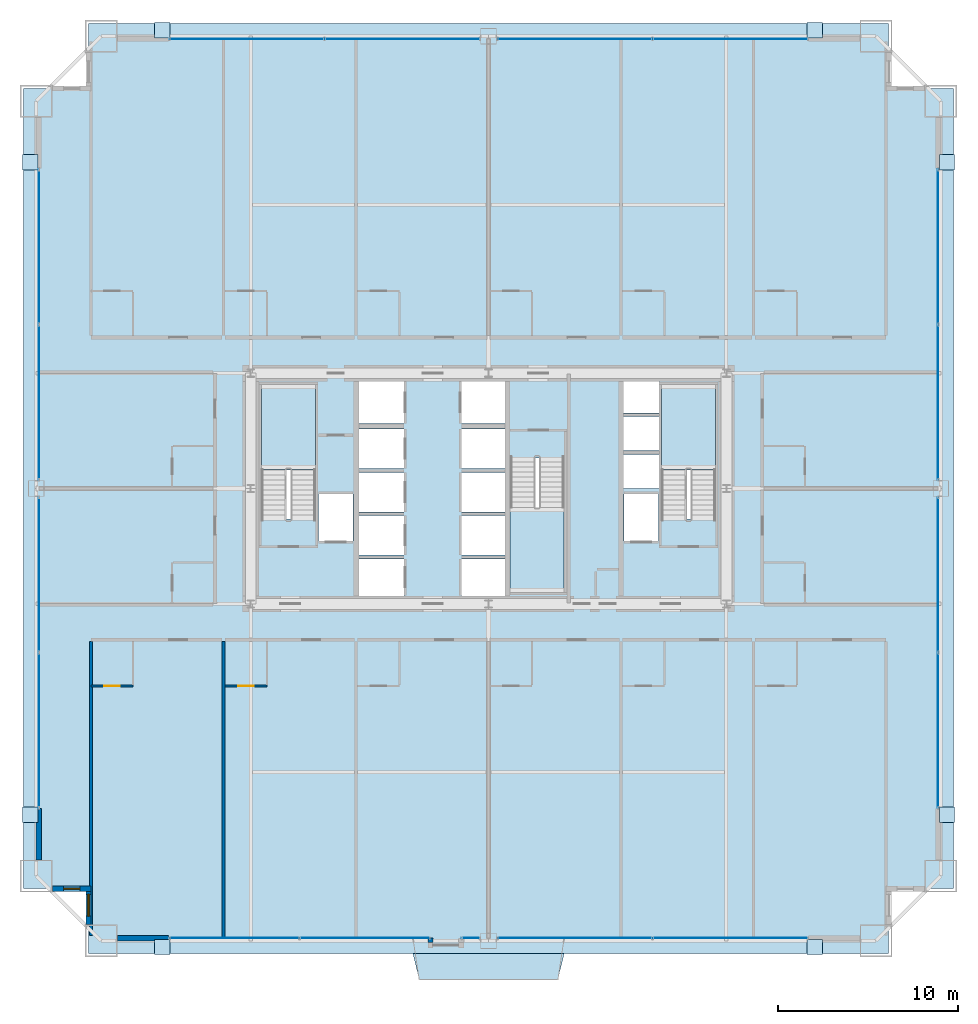
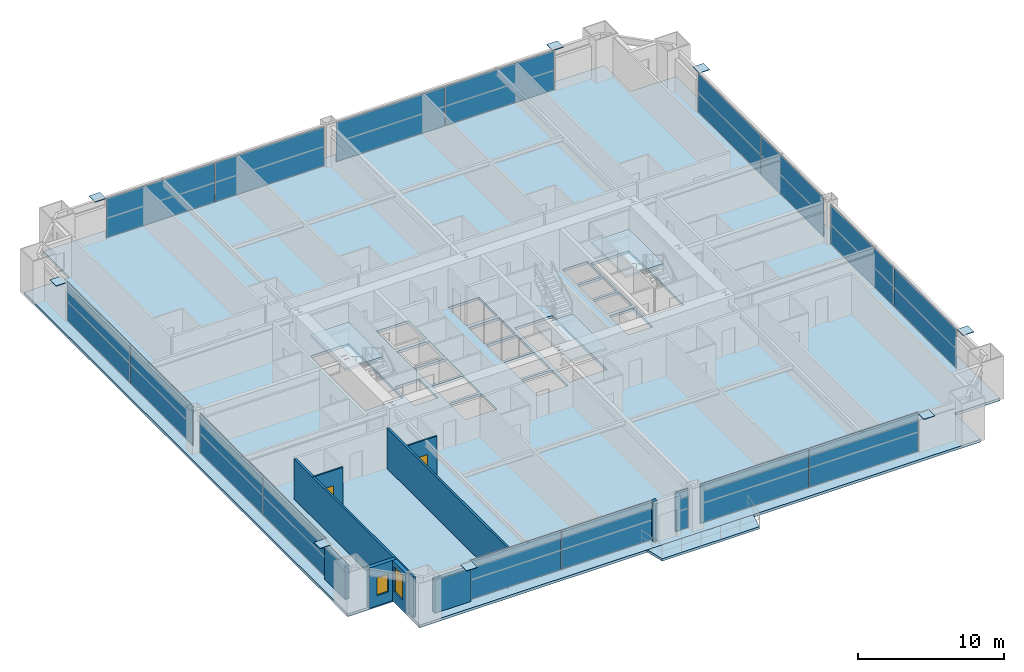
# One storey, part 39 of 45: 25 plates, 9 walls, 5 slabs, 2 doors, 2 windows, 4 openings, 12 elements without a shape of their own.
"""IFC4 building model written with IfcOpenShell, lengths in metres."""

from ifc_helpers import new_model, si_unit, direction, frame, frame_2d, origin, origin_2d, place, context, subcontext, project, spatial, polyline, rectangle, outline, extrude, source, transform, mapped, material, layer, layer_set, type_object, element, fill, aggregate, save


model = new_model("IFC4")

# Units and contexts
model_context = context("Model", 3, precision=1e-05, world=origin(), true_north=direction((0.0, 1.0)))
body_context = subcontext(model_context, "Body", "Model", "MODEL_VIEW")
ifc_project = project(units=[si_unit("LENGTHUNIT", "METRE"), si_unit("AREAUNIT", "SQUARE_METRE"), si_unit("VOLUMEUNIT", "CUBIC_METRE"), si_unit("PLANEANGLEUNIT", "RADIAN"), si_unit("MASSUNIT", "GRAM", prefix="KILO"), si_unit("THERMODYNAMICTEMPERATUREUNIT", "KELVIN"), si_unit("POWERUNIT", "WATT")], contexts=[model_context])

# Site, building, storey
site_placement = place(None, origin())
site = spatial("IfcSite", under=ifc_project, at=site_placement, CompositionType="ELEMENT")
building_placement = place(site_placement, origin())
building = spatial("IfcBuilding", under=site, at=building_placement, Name="Yuzanri Waterfront Tower", CompositionType="ELEMENT")
storey_placement = place(building_placement, frame((0.0, 0.0, 34.199951171875)))
storey = spatial("IfcBuildingStorey", under=building, at=storey_placement, Name="L08", CompositionType="ELEMENT", Elevation=34.199951171875)

# Slab
ifc_material_1 = material(Name="Concrete C40", Category="concrete")
ifc_layer_1 = layer(ifc_material_1, 0.199951171875)
ifc_layer_set_1 = layer_set([ifc_layer_1], Name="Concrete C40")
slab_type_1 = type_object("IfcSlabType", Name="Concrete C40 Cantilevered Engawa Wave Terrace Slab 200", PredefinedType="FLOOR", material=ifc_layer_set_1)
slab_1_placement = place(storey_placement, frame((0.0, 0.0, -0.199951171875)))
element("IfcSlab", 1, at=slab_1_placement, inside=storey, type_object=slab_type_1, Name="L08 S Cantilevered Engawa Terrace Slab", PredefinedType="FLOOR", context=body_context, shape_type="SweptSolid", body=[
    extrude(outline(polyline([(32.803466796875, 0.0), (41.196533203125, 0.0), (40.846435546875, -1.447021484375), (33.153564453125, -1.447021484375), (32.803466796875, 0.0)])), origin(), (0.0, 0.0, 1.0), 0.199951171875),
])

# Stair, slab
ifc_material_2 = material(Name="Concrete C40", Category="concrete")
stair_type = type_object("IfcStairType", Name="Concrete C40 Core Dogleg Exit Stair", PredefinedType="HALF_TURN_STAIR", material=ifc_material_2)
stair_1_placement = place(storey_placement, origin())
stair_1 = element("IfcStair", 2, at=stair_1_placement, inside=storey, type_object=stair_type, Name="L08 Smoke-Proof Core Stair ST-01", PredefinedType="HALF_TURN_STAIR")
ifc_material_3 = material(Name="Concrete C40", Category="concrete")
ifc_layer_2 = layer(ifc_material_3, 0.179931640625)
ifc_layer_set_2 = layer_set([ifc_layer_2], Name="Concrete C40")
slab_type_2 = type_object("IfcSlabType", Name="Concrete C40 Stair Half-Landing Slab 180", PredefinedType="LANDING", material=ifc_layer_set_2)
slab_2_placement = place(storey_placement, frame((0.0, 0.0, 1.60009765625)))
slab_2 = element("IfcSlab", 3, at=slab_2_placement, type_object=slab_type_2, Name="ST-01 landing 1", PredefinedType="LANDING", context=body_context, shape_type="SweptSolid", body=[
    extrude(outline(polyline([(27.39990234375, 26.840087890625), (27.39990234375, 31.580078125), (24.39990234375, 31.580078125), (24.39990234375, 26.840087890625), (27.39990234375, 26.840087890625)])), origin(), (0.0, 0.0, 1.0), 0.199951171875),
])
aggregate(stair_1, [slab_2])

stair_2_placement = place(storey_placement, origin())
stair_2 = element("IfcStair", 4, at=stair_2_placement, inside=storey, type_object=stair_type, Name="L08 Smoke-Proof Core Stair ST-02", PredefinedType="HALF_TURN_STAIR")
slab_3_placement = place(storey_placement, frame((0.0, 0.0, 1.60009765625)))
slab_3 = element("IfcSlab", 5, at=slab_3_placement, type_object=slab_type_2, Name="ST-02 landing 1", PredefinedType="LANDING", context=body_context, shape_type="SweptSolid", body=[
    extrude(outline(polyline([(49.60009765625, 26.840087890625), (49.60009765625, 31.580078125), (46.60009765625, 31.580078125), (46.60009765625, 26.840087890625), (49.60009765625, 26.840087890625)])), origin(), (0.0, 0.0, 1.0), 0.199951171875),
])
aggregate(stair_2, [slab_3])

stair_3_placement = place(storey_placement, origin())
stair_3 = element("IfcStair", 6, at=stair_3_placement, inside=storey, type_object=stair_type, Name="L08 Smoke-Proof Core Stair ST-03", PredefinedType="HALF_TURN_STAIR")
slab_4_placement = place(storey_placement, frame((0.0, 0.0, 1.60009765625)))
slab_4 = element("IfcSlab", 7, at=slab_4_placement, type_object=slab_type_2, Name="ST-03 landing 1", PredefinedType="LANDING", context=body_context, shape_type="SweptSolid", body=[
    extrude(outline(polyline([(38.199951171875, 24.760009765625), (38.199951171875, 20.02001953125), (41.199951171875, 20.02001953125), (41.199951171875, 24.760009765625), (38.199951171875, 24.760009765625)])), origin(), (0.0, 0.0, 1.0), 0.199951171875),
])
aggregate(stair_3, [slab_4])

# Slab
ifc_material_4 = material(Name="Concrete C40", Category="concrete")
ifc_layer_3 = layer(ifc_material_4, 0.219970703125)
ifc_layer_set_3 = layer_set([ifc_layer_3], Name="Concrete C40")
slab_type_3 = type_object("IfcSlabType", Name="Concrete C40 Tower Typical Structural Floor Slab 220", PredefinedType="FLOOR", material=ifc_layer_set_3)
slab_5_placement = place(storey_placement, frame((0.0, 0.0, -0.219970703125)))
element("IfcSlab", 8, at=slab_5_placement, inside=storey, type_object=slab_type_3, Name="L08 Main Structural Floor Slab", PredefinedType="FLOOR", context=body_context, shape_type="SweptSolid", body=[
    extrude(outline(polyline([(14.800048828125, 0.0), (59.199951171875, 0.0), (59.199951171875, 3.60009765625), (62.800048828125, 3.60009765625), (62.800048828125, 48.0), (59.199951171875, 48.0), (59.199951171875, 51.60009765625), (14.800048828125, 51.60009765625), (14.800048828125, 48.0), (11.199951171875, 48.0), (11.199951171875, 3.60009765625), (14.800048828125, 3.60009765625), (14.800048828125, 0.0)]), holes=[polyline([(27.39990234375, 24.10009765625), (27.39990234375, 31.580078125), (24.39990234375, 31.580078125), (24.39990234375, 24.10009765625), (27.39990234375, 24.10009765625)]), polyline([(49.60009765625, 24.10009765625), (49.60009765625, 31.580078125), (46.60009765625, 31.580078125), (46.60009765625, 24.10009765625), (49.60009765625, 24.10009765625)]), polyline([(38.199951171875, 27.5), (38.199951171875, 20.02001953125), (41.199951171875, 20.02001953125), (41.199951171875, 27.5), (38.199951171875, 27.5)]), polyline([(27.56005859375, 22.89990234375), (29.47998046875, 22.89990234375), (29.47998046875, 25.5), (27.56005859375, 25.5), (27.56005859375, 22.89990234375)]), polyline([(44.52001953125, 22.89990234375), (46.43994140625, 22.89990234375), (46.43994140625, 25.5), (44.52001953125, 25.5), (44.52001953125, 22.89990234375)]), polyline([(29.800048828125, 19.699951171875), (32.300048828125, 19.699951171875), (32.300048828125, 21.89990234375), (29.800048828125, 21.89990234375), (29.800048828125, 19.699951171875)]), polyline([(29.800048828125, 22.10009765625), (32.300048828125, 22.10009765625), (32.300048828125, 24.300048828125), (29.800048828125, 24.300048828125), (29.800048828125, 22.10009765625)]), polyline([(29.800048828125, 24.5), (32.300048828125, 24.5), (32.300048828125, 26.699951171875), (29.800048828125, 26.699951171875), (29.800048828125, 24.5)]), polyline([(29.800048828125, 26.89990234375), (32.300048828125, 26.89990234375), (32.300048828125, 29.10009765625), (29.800048828125, 29.10009765625), (29.800048828125, 26.89990234375)]), polyline([(29.800048828125, 29.39990234375), (32.300048828125, 29.39990234375), (32.300048828125, 31.89990234375), (29.800048828125, 31.89990234375), (29.800048828125, 29.39990234375)]), polyline([(35.5, 19.699951171875), (37.89990234375, 19.699951171875), (37.89990234375, 21.89990234375), (35.5, 21.89990234375), (35.5, 19.699951171875)]), polyline([(35.5, 22.10009765625), (37.89990234375, 22.10009765625), (37.89990234375, 24.300048828125), (35.5, 24.300048828125), (35.5, 22.10009765625)]), polyline([(35.5, 24.5), (37.89990234375, 24.5), (37.89990234375, 26.699951171875), (35.5, 26.699951171875), (35.5, 24.5)]), polyline([(35.5, 26.89990234375), (37.89990234375, 26.89990234375), (37.89990234375, 29.10009765625), (35.5, 29.10009765625), (35.5, 26.89990234375)]), polyline([(35.5, 29.39990234375), (37.89990234375, 29.39990234375), (37.89990234375, 31.89990234375), (35.5, 31.89990234375), (35.5, 29.39990234375)]), polyline([(44.5, 25.800048828125), (46.5, 25.800048828125), (46.5, 27.699951171875), (44.5, 27.699951171875), (44.5, 25.800048828125)]), polyline([(44.5, 27.89990234375), (46.5, 27.89990234375), (46.5, 29.800048828125), (44.5, 29.800048828125), (44.5, 27.89990234375)]), polyline([(44.5, 30.0), (46.5, 30.0), (46.5, 31.89990234375), (44.5, 31.89990234375), (44.5, 30.0)])]), origin(), (0.0, 0.0, 1.0), 0.219970703125),
])

# Plates
ifc_material_5 = material(Name="Steel Q420GJC", Category="steel")
ifc_layer_4 = layer(ifc_material_5, 0.0400390625)
ifc_layer_set_4 = layer_set([ifc_layer_4], Name="Steel Q420GJC")
plate_type_1 = type_object("IfcPlateType", Name="Steel Q420GJC Mega-Brace Gusset and End-Cap Plate 40", PredefinedType="SHEET", material=ifc_layer_set_4)
shared_shape_1 = source(origin(), body_context, "Body", "SweptSolid", [
    extrude(rectangle(XDim=0.85009765625, YDim=0.85009765625, at=origin_2d()), origin(), (0.0, 0.0, 1.0), 0.0400390625),
])
for number, where, z_axis, x_axis, name in (
    (9, (18.89990234375, 0.360107421875, 3.260009765625), (0.0, 0.0, 1.0), (1.0, 0.0, 0.0), "L08 Mega-Brace Apex Cap Plate S-L"),
    (10, (55.10009765625, 0.360107421875, 3.260009765625), (0.0, 0.0, 1.0), (1.0, 0.0, 0.0), "L08 Mega-Brace Apex Cap Plate S-R"),
    (11, (18.89990234375, 51.239990234375, 3.260009765625), (0.0, 0.0, 1.0), (1.0, 0.0, 0.0), "L08 Mega-Brace Apex Cap Plate N-L"),
    (12, (55.10009765625, 51.239990234375, 3.260009765625), (0.0, 0.0, 1.0), (1.0, 0.0, 0.0), "L08 Mega-Brace Apex Cap Plate N-R"),
    (13, (11.56005859375, 7.699951171875, 3.260009765625), (0.0, 0.0, 1.0), (1.0, 0.0, 0.0), "L08 Mega-Brace Apex Cap Plate W-L"),
    (14, (11.56005859375, 43.89990234375, 3.260009765625), (0.0, 0.0, 1.0), (1.0, 0.0, 0.0), "L08 Mega-Brace Apex Cap Plate W-R"),
    (15, (62.43994140625, 7.699951171875, 3.260009765625), (0.0, 0.0, 1.0), (1.0, 0.0, 0.0), "L08 Mega-Brace Apex Cap Plate E-L"),
    (16, (62.43994140625, 43.89990234375, 3.260009765625), (0.0, 0.0, 1.0), (1.0, 0.0, 0.0), "L08 Mega-Brace Apex Cap Plate E-R"),
):
    element("IfcPlate", number, at=place(storey_placement, frame(where, z_axis=z_axis, x_axis=x_axis)), inside=storey, type_object=plate_type_1, Name=name, PredefinedType="SHEET", context=body_context, shape_type="MappedRepresentation", body=[
        mapped(shared_shape_1, transform((0.0, 0.0, 0.0), scale=1.0)),
    ])

# Curtain wall, plates
ifc_material_6 = material(Name="Anodized Architectural Bronze", Category="metal")
ifc_layer_5 = layer(ifc_material_6, 0.159912109375)
ifc_layer_set_5 = layer_set([ifc_layer_5], Name="Anodized Architectural Bronze")
curtain_wall_type = type_object("IfcCurtainWallType", Name="Anodized Bronze Hotel Lower-Tier Recessed Unitized Curtain Wall 8100", PredefinedType="NOTDEFINED", material=ifc_layer_set_5)
curtain_wall_1_placement = place(storey_placement, origin())
curtain_wall_1 = element("IfcCurtainWall", 17, at=curtain_wall_1_placement, inside=storey, type_object=curtain_wall_type, Name="L08 Curtain Wall CW-L08-SR", PredefinedType="NOTDEFINED")
ifc_material_7 = material(Name="Double-Silver Low-E Insulated Glass", Category="glass")
ifc_layer_6 = layer(ifc_material_7, 0.035888671875)
ifc_layer_set_6 = layer_set([ifc_layer_6], Name="Double-Silver Low-E Insulated Glass")
plate_type_2 = type_object("IfcPlateType", Name="Double Silver Low-E Insulated Vision Glass Panel 36", PredefinedType="CURTAIN_PANEL", material=ifc_layer_set_6)
shared_shape_2 = source(origin(), body_context, "Body", "SweptSolid", [
    extrude(rectangle(XDim=8.570068359375, YDim=0.035888671875, at=origin_2d()), origin(), (0.0, 0.0, 1.0), 3.280029296875),
])
plate_1_placement = place(storey_placement, frame((41.77490234375, 0.85009765625, 0.0498046875), z_axis=(0.0, 0.0, 1.0), x_axis=(1.0, 0.0, 0.0)))
plate_1 = element("IfcPlate", 18, at=plate_1_placement, type_object=plate_type_2, Name="CW-L08-SR Vision Glass Panel 01", PredefinedType="CURTAIN_PANEL", context=body_context, shape_type="MappedRepresentation", body=[
    mapped(shared_shape_2, transform((0.0, 0.0, 0.0), scale=1.0)),
])
plate_2_placement = place(storey_placement, frame((50.425048828125, 0.85009765625, 0.0498046875), z_axis=(0.0, 0.0, 1.0), x_axis=(1.0, 0.0, 0.0)))
plate_2 = element("IfcPlate", 19, at=plate_2_placement, type_object=plate_type_2, Name="CW-L08-SR Vision Glass Panel 02", PredefinedType="CURTAIN_PANEL", context=body_context, shape_type="MappedRepresentation", body=[
    mapped(shared_shape_2, transform((0.0, 0.0, 0.0), scale=1.0)),
])
aggregate(curtain_wall_1, [plate_1, plate_2])

curtain_wall_2_placement = place(storey_placement, origin())
curtain_wall_2 = element("IfcCurtainWall", 20, at=curtain_wall_2_placement, inside=storey, type_object=curtain_wall_type, Name="L08 Curtain Wall CW-L08-NL", PredefinedType="NOTDEFINED")
plate_3_placement = place(storey_placement, frame((23.574951171875, 50.75, 0.0498046875), z_axis=(0.0, 0.0, 1.0), x_axis=(1.0, 0.0, 0.0)))
plate_3 = element("IfcPlate", 21, at=plate_3_placement, type_object=plate_type_2, Name="CW-L08-NL Vision Glass Panel 01", PredefinedType="CURTAIN_PANEL", context=body_context, shape_type="MappedRepresentation", body=[
    mapped(shared_shape_2, transform((0.0, 0.0, 0.0), scale=1.0)),
])
plate_4_placement = place(storey_placement, frame((32.22509765625, 50.75, 0.0498046875), z_axis=(0.0, 0.0, 1.0), x_axis=(1.0, 0.0, 0.0)))
plate_4 = element("IfcPlate", 22, at=plate_4_placement, type_object=plate_type_2, Name="CW-L08-NL Vision Glass Panel 02", PredefinedType="CURTAIN_PANEL", context=body_context, shape_type="MappedRepresentation", body=[
    mapped(shared_shape_2, transform((0.0, 0.0, 0.0), scale=1.0)),
])
aggregate(curtain_wall_2, [plate_3, plate_4])

curtain_wall_3_placement = place(storey_placement, origin())
curtain_wall_3 = element("IfcCurtainWall", 23, at=curtain_wall_3_placement, inside=storey, type_object=curtain_wall_type, Name="L08 Curtain Wall CW-L08-NR", PredefinedType="NOTDEFINED")
plate_5_placement = place(storey_placement, frame((41.77490234375, 50.75, 0.0498046875), z_axis=(0.0, 0.0, 1.0), x_axis=(1.0, 0.0, 0.0)))
plate_5 = element("IfcPlate", 24, at=plate_5_placement, type_object=plate_type_2, Name="CW-L08-NR Vision Glass Panel 01", PredefinedType="CURTAIN_PANEL", context=body_context, shape_type="MappedRepresentation", body=[
    mapped(shared_shape_2, transform((0.0, 0.0, 0.0), scale=1.0)),
])
plate_6_placement = place(storey_placement, frame((50.425048828125, 50.75, 0.0498046875), z_axis=(0.0, 0.0, 1.0), x_axis=(1.0, 0.0, 0.0)))
plate_6 = element("IfcPlate", 25, at=plate_6_placement, type_object=plate_type_2, Name="CW-L08-NR Vision Glass Panel 02", PredefinedType="CURTAIN_PANEL", context=body_context, shape_type="MappedRepresentation", body=[
    mapped(shared_shape_2, transform((0.0, 0.0, 0.0), scale=1.0)),
])
aggregate(curtain_wall_3, [plate_5, plate_6])

curtain_wall_4_placement = place(storey_placement, origin())
curtain_wall_4 = element("IfcCurtainWall", 26, at=curtain_wall_4_placement, inside=storey, type_object=curtain_wall_type, Name="L08 Curtain Wall CW-L08-WL", PredefinedType="NOTDEFINED")
plate_7_placement = place(storey_placement, frame((12.050048828125, 12.375, 0.0498046875), z_axis=(0.0, 0.0, 1.0), x_axis=(0.0, 1.0, 0.0)))
plate_7 = element("IfcPlate", 27, at=plate_7_placement, type_object=plate_type_2, Name="CW-L08-WL Vision Glass Panel 01", PredefinedType="CURTAIN_PANEL", context=body_context, shape_type="MappedRepresentation", body=[
    mapped(shared_shape_2, transform((0.0, 0.0, 0.0), scale=1.0)),
])
plate_8_placement = place(storey_placement, frame((12.050048828125, 21.02490234375, 0.0498046875), z_axis=(0.0, 0.0, 1.0), x_axis=(0.0, 1.0, 0.0)))
plate_8 = element("IfcPlate", 28, at=plate_8_placement, type_object=plate_type_2, Name="CW-L08-WL Vision Glass Panel 02", PredefinedType="CURTAIN_PANEL", context=body_context, shape_type="MappedRepresentation", body=[
    mapped(shared_shape_2, transform((0.0, 0.0, 0.0), scale=1.0)),
])
aggregate(curtain_wall_4, [plate_7, plate_8])

curtain_wall_5_placement = place(storey_placement, origin())
curtain_wall_5 = element("IfcCurtainWall", 29, at=curtain_wall_5_placement, inside=storey, type_object=curtain_wall_type, Name="L08 Curtain Wall CW-L08-WR", PredefinedType="NOTDEFINED")
plate_9_placement = place(storey_placement, frame((12.050048828125, 30.574951171875, 0.0498046875), z_axis=(0.0, 0.0, 1.0), x_axis=(0.0, 1.0, 0.0)))
plate_9 = element("IfcPlate", 30, at=plate_9_placement, type_object=plate_type_2, Name="CW-L08-WR Vision Glass Panel 01", PredefinedType="CURTAIN_PANEL", context=body_context, shape_type="MappedRepresentation", body=[
    mapped(shared_shape_2, transform((0.0, 0.0, 0.0), scale=1.0)),
])
plate_10_placement = place(storey_placement, frame((12.050048828125, 39.22509765625, 0.0498046875), z_axis=(0.0, 0.0, 1.0), x_axis=(0.0, 1.0, 0.0)))
plate_10 = element("IfcPlate", 31, at=plate_10_placement, type_object=plate_type_2, Name="CW-L08-WR Vision Glass Panel 02", PredefinedType="CURTAIN_PANEL", context=body_context, shape_type="MappedRepresentation", body=[
    mapped(shared_shape_2, transform((0.0, 0.0, 0.0), scale=1.0)),
])
aggregate(curtain_wall_5, [plate_9, plate_10])

curtain_wall_6_placement = place(storey_placement, origin())
curtain_wall_6 = element("IfcCurtainWall", 32, at=curtain_wall_6_placement, inside=storey, type_object=curtain_wall_type, Name="L08 Curtain Wall CW-L08-EL", PredefinedType="NOTDEFINED")
plate_11_placement = place(storey_placement, frame((61.949951171875, 12.375, 0.0498046875), z_axis=(0.0, 0.0, 1.0), x_axis=(0.0, 1.0, 0.0)))
plate_11 = element("IfcPlate", 33, at=plate_11_placement, type_object=plate_type_2, Name="CW-L08-EL Vision Glass Panel 01", PredefinedType="CURTAIN_PANEL", context=body_context, shape_type="MappedRepresentation", body=[
    mapped(shared_shape_2, transform((0.0, 0.0, 0.0), scale=1.0)),
])
plate_12_placement = place(storey_placement, frame((61.949951171875, 21.02490234375, 0.0498046875), z_axis=(0.0, 0.0, 1.0), x_axis=(0.0, 1.0, 0.0)))
plate_12 = element("IfcPlate", 34, at=plate_12_placement, type_object=plate_type_2, Name="CW-L08-EL Vision Glass Panel 02", PredefinedType="CURTAIN_PANEL", context=body_context, shape_type="MappedRepresentation", body=[
    mapped(shared_shape_2, transform((0.0, 0.0, 0.0), scale=1.0)),
])
aggregate(curtain_wall_6, [plate_11, plate_12])

curtain_wall_7_placement = place(storey_placement, origin())
curtain_wall_7 = element("IfcCurtainWall", 35, at=curtain_wall_7_placement, inside=storey, type_object=curtain_wall_type, Name="L08 Curtain Wall CW-L08-ER", PredefinedType="NOTDEFINED")
plate_13_placement = place(storey_placement, frame((61.949951171875, 30.574951171875, 0.0498046875), z_axis=(0.0, 0.0, 1.0), x_axis=(0.0, 1.0, 0.0)))
plate_13 = element("IfcPlate", 36, at=plate_13_placement, type_object=plate_type_2, Name="CW-L08-ER Vision Glass Panel 01", PredefinedType="CURTAIN_PANEL", context=body_context, shape_type="MappedRepresentation", body=[
    mapped(shared_shape_2, transform((0.0, 0.0, 0.0), scale=1.0)),
])
plate_14_placement = place(storey_placement, frame((61.949951171875, 39.22509765625, 0.0498046875), z_axis=(0.0, 0.0, 1.0), x_axis=(0.0, 1.0, 0.0)))
plate_14 = element("IfcPlate", 37, at=plate_14_placement, type_object=plate_type_2, Name="CW-L08-ER Vision Glass Panel 02", PredefinedType="CURTAIN_PANEL", context=body_context, shape_type="MappedRepresentation", body=[
    mapped(shared_shape_2, transform((0.0, 0.0, 0.0), scale=1.0)),
])
aggregate(curtain_wall_7, [plate_13, plate_14])

curtain_wall_8_placement = place(storey_placement, origin())
curtain_wall_8 = element("IfcCurtainWall", 38, at=curtain_wall_8_placement, inside=storey, type_object=curtain_wall_type, Name="L08 Curtain Wall CW-L08-SL1", PredefinedType="NOTDEFINED")
shared_shape_3 = source(origin(), body_context, "Body", "SweptSolid", [
    extrude(rectangle(XDim=7.18359375, YDim=0.035888671875, at=origin_2d()), origin(), (0.0, 0.0, 1.0), 3.280029296875),
])
plate_15_placement = place(storey_placement, frame((22.8818359375, 0.85009765625, 0.0498046875), z_axis=(0.0, 0.0, 1.0), x_axis=(1.0, 0.0, 0.0)))
plate_15 = element("IfcPlate", 39, at=plate_15_placement, type_object=plate_type_2, Name="CW-L08-SL1 Vision Glass Panel 01", PredefinedType="CURTAIN_PANEL", context=body_context, shape_type="MappedRepresentation", body=[
    mapped(shared_shape_3, transform((0.0, 0.0, 0.0), scale=1.0)),
])
plate_16_placement = place(storey_placement, frame((30.145263671875, 0.85009765625, 0.0498046875), z_axis=(0.0, 0.0, 1.0), x_axis=(1.0, 0.0, 0.0)))
plate_16 = element("IfcPlate", 40, at=plate_16_placement, type_object=plate_type_2, Name="CW-L08-SL1 Vision Glass Panel 02", PredefinedType="CURTAIN_PANEL", context=body_context, shape_type="MappedRepresentation", body=[
    mapped(shared_shape_3, transform((0.0, 0.0, 0.0), scale=1.0)),
])
aggregate(curtain_wall_8, [plate_15, plate_16])

# Curtain wall, plate
curtain_wall_9_placement = place(storey_placement, origin())
curtain_wall_9 = element("IfcCurtainWall", 41, at=curtain_wall_9_placement, inside=storey, type_object=curtain_wall_type, Name="L08 Curtain Wall CW-L08-SL2", PredefinedType="NOTDEFINED")
shared_shape_4 = source(origin(), body_context, "Body", "SweptSolid", [
    extrude(rectangle(XDim=0.992919921875, YDim=0.035888671875, at=origin_2d()), origin(), (0.0, 0.0, 1.0), 3.280029296875),
])
plate_17_placement = place(storey_placement, frame((36.013427734375, 0.85009765625, 0.0498046875), z_axis=(0.0, 0.0, 1.0), x_axis=(1.0, 0.0, 0.0)))
plate_17 = element("IfcPlate", 42, at=plate_17_placement, type_object=plate_type_2, Name="CW-L08-SL2 Vision Glass Panel 01", PredefinedType="CURTAIN_PANEL", context=body_context, shape_type="MappedRepresentation", body=[
    mapped(shared_shape_4, transform((0.0, 0.0, 0.0), scale=1.0)),
])
aggregate(curtain_wall_9, [plate_17])

# Wall, opening, door
ifc_material_8 = material(Name="Moisture-Resistant Gypsum Stud Wall", Category="gypsum")
ifc_layer_7 = layer(ifc_material_8, 0.1201171875)
ifc_layer_set_7 = layer_set([ifc_layer_7], Name="Moisture-Resistant Gypsum Stud Wall")
wall_type_1 = type_object("IfcWallType", Name="Bathroom and Kitchen Wet Partition 120", PredefinedType="PARTITIONING", material=ifc_layer_set_7)
wall_1_placement = place(storey_placement, frame((14.93994140625, 14.840087890625, 0.0), z_axis=(0.0, 0.0, 1.0), x_axis=(1.0, 0.0, 0.0)))
wall_1 = element("IfcWall", 43, at=wall_1_placement, inside=storey, type_object=wall_type_1, Name="L08 Partition UW-L08-S1-BS", PredefinedType="PARTITIONING", context=body_context, shape_type="SweptSolid", body=[
    extrude(rectangle(XDim=2.330078125, YDim=0.1201171875, at=frame_2d((1.1650390625, 0.0))), origin(), (0.0, 0.0, 1.0), 3.380126953125),
])
opening_1_placement = place(wall_1_placement, frame((0.739990234375, 0.0, 0.0)))
opening_1 = element("IfcOpeningElement", 44, at=opening_1_placement, cuts=wall_1, Name="Opening ID-0850", PredefinedType="OPENING", context=body_context, shape_type="SweptSolid", body=[
    extrude(rectangle(XDim=0.85009765625, YDim=2.10009765625, at=frame_2d((0.425048828125, 1.050048828125))), frame((0.0, 0.074951171875, 0.0), z_axis=(0.0, -1.0, 0.0), x_axis=(1.0, 0.0, 0.0)), (0.0, 0.0, 1.0), 0.14990234375),
])
ifc_material_9 = material(Name="Moisture-Resistant Lacquered Timber", Category="wood")
door_type = type_object("IfcDoorType", Name="En-Suite Bathroom and Kitchen Swing Door 850x2100", OperationType="NOTDEFINED", PredefinedType="DOOR", material=ifc_material_9)
shared_shape_5 = source(origin(), body_context, "Body", "SweptSolid", [
    extrude(rectangle(XDim=0.85009765625, YDim=2.10009765625, at=frame_2d((0.425048828125, 1.050048828125))), frame((0.0, 0.02490234375, 0.0), z_axis=(0.0, -1.0, 0.0), x_axis=(1.0, 0.0, 0.0)), (0.0, 0.0, 1.0), 0.050048828125),
])
door_1_placement = place(opening_1_placement, origin())
door_1 = element("IfcDoor", 45, at=door_1_placement, inside=storey, type_object=door_type, Name="L08 Guest En-Suite Door", OperationType="SINGLE_SWING_LEFT", OverallHeight=2.10009765625, OverallWidth=0.85009765625, PredefinedType="DOOR", context=body_context, shape_type="MappedRepresentation", body=[
    mapped(shared_shape_5, transform((0.0, 0.0, 0.0), scale=1.0)),
])
fill(opening_1, door_1)

wall_2_placement = place(storey_placement, frame((22.373046875, 14.840087890625, 0.0), z_axis=(0.0, 0.0, 1.0), x_axis=(1.0, 0.0, 0.0)))
wall_2 = element("IfcWall", 46, at=wall_2_placement, inside=storey, type_object=wall_type_1, Name="L08 Partition UW-L08-S2-BS", PredefinedType="PARTITIONING", context=body_context, shape_type="SweptSolid", body=[
    extrude(rectangle(XDim=2.329833984375, YDim=0.1201171875, at=frame_2d((1.1650390625, 0.0))), origin(), (0.0, 0.0, 1.0), 3.380126953125),
])
opening_2_placement = place(wall_2_placement, frame((0.739990234375, 0.0, 0.0)))
opening_2 = element("IfcOpeningElement", 47, at=opening_2_placement, cuts=wall_2, Name="Opening ID-0850", PredefinedType="OPENING", context=body_context, shape_type="SweptSolid", body=[
    extrude(rectangle(XDim=0.85009765625, YDim=2.10009765625, at=frame_2d((0.425048828125, 1.050048828125))), frame((0.0, 0.074951171875, 0.0), z_axis=(0.0, -1.0, 0.0), x_axis=(1.0, 0.0, 0.0)), (0.0, 0.0, 1.0), 0.14990234375),
])
door_2_placement = place(opening_2_placement, origin())
door_2 = element("IfcDoor", 48, at=door_2_placement, inside=storey, type_object=door_type, Name="L08 Guest En-Suite Door", OperationType="SINGLE_SWING_LEFT", OverallHeight=2.10009765625, OverallWidth=0.85009765625, PredefinedType="DOOR", context=body_context, shape_type="MappedRepresentation", body=[
    mapped(shared_shape_5, transform((0.0, 0.0, 0.0), scale=1.0)),
])
fill(opening_2, door_2)

# Wall, opening, window
ifc_material_10 = material(Name="Honed Chongqing Dark Basalt Stone", Category="masonry")
ifc_layer_8 = layer(ifc_material_10, 0.300048828125)
ifc_layer_set_8 = layer_set([ifc_layer_8], Name="Honed Chongqing Dark Basalt Stone")
wall_type_2 = type_object("IfcWallType", Name="Bronze Rainscreen Insulated Spandrel Portal Wall 300", PredefinedType="SOLIDWALL", material=ifc_layer_set_8)
wall_3_placement = place(storey_placement, frame((12.800048828125, 3.60009765625, 0.0), z_axis=(0.0, 0.0, 1.0), x_axis=(1.0, 0.0, 0.0)))
wall_3 = element("IfcWall", 49, at=wall_3_placement, inside=storey, type_object=wall_type_2, Name="L08 Notched Corner Masonry Wall SW-X", PredefinedType="SOLIDWALL", context=body_context, shape_type="SweptSolid", body=[
    extrude(rectangle(XDim=2.14990234375, YDim=0.300048828125, at=frame_2d((1.074951171875, 0.0))), origin(), (0.0, 0.0, 1.0), 3.380126953125),
])
opening_3_placement = place(wall_3_placement, frame((0.625, 0.0, 0.85009765625)))
opening_3 = element("IfcOpeningElement", 50, at=opening_3_placement, cuts=wall_3, Name="Opening WN-05", PredefinedType="OPENING", context=body_context, shape_type="SweptSolid", body=[
    extrude(rectangle(XDim=0.89990234375, YDim=1.5, at=frame_2d((0.449951171875, 0.75))), frame((0.0, 0.1650390625, 0.0), z_axis=(0.0, -1.0, 0.0), x_axis=(1.0, 0.0, 0.0)), (0.0, 0.0, 1.0), 0.329833984375),
])
ifc_material_11 = material(Name="Double-Silver Low-E Insulated Glass", Category="glass")
window_type_1 = type_object("IfcWindowType", Name="Anodized Bronze Service and Stairwell Smoke-Vent Window 900x1500", PartitioningType="SINGLE_PANEL", PredefinedType="WINDOW", material=ifc_material_11)
shared_shape_6 = source(origin(), body_context, "Body", "SweptSolid", [
    extrude(rectangle(XDim=0.89990234375, YDim=1.5, at=frame_2d((0.449951171875, 0.75))), frame((0.0, 0.030029296875, 0.0), z_axis=(0.0, -1.0, 0.0), x_axis=(1.0, 0.0, 0.0)), (0.0, 0.0, 1.0), 0.06005859375),
])
window_1_placement = place(opening_3_placement, origin())
window_1 = element("IfcWindow", 51, at=window_1_placement, inside=storey, type_object=window_type_1, Name="L08 Notched Corner Window SW-X", OverallHeight=1.5, OverallWidth=0.89990234375, PartitioningType="SINGLE_PANEL", PredefinedType="WINDOW", context=body_context, shape_type="MappedRepresentation", body=[
    mapped(shared_shape_6, transform((0.0, 0.0, 0.0), scale=1.0)),
])
fill(opening_3, window_1)

wall_4_placement = place(storey_placement, frame((14.800048828125, 3.75, 0.0), z_axis=(0.0, 0.0, 1.0), x_axis=(0.0, -1.0, 0.0)))
wall_4 = element("IfcWall", 52, at=wall_4_placement, inside=storey, type_object=wall_type_2, Name="L08 Notched Corner Masonry Wall SW-Y", PredefinedType="SOLIDWALL", context=body_context, shape_type="SweptSolid", body=[
    extrude(rectangle(XDim=2.14990234375, YDim=0.300048828125, at=frame_2d((1.074951171875, 0.0))), origin(), (0.0, 0.0, 1.0), 3.380126953125),
])
opening_4_placement = place(wall_4_placement, frame((0.47509765625, 0.0, 0.85009765625)))
opening_4 = element("IfcOpeningElement", 53, at=opening_4_placement, cuts=wall_4, Name="Opening WN-02", PredefinedType="OPENING", context=body_context, shape_type="SweptSolid", body=[
    extrude(rectangle(XDim=1.199951171875, YDim=2.10009765625, at=frame_2d((0.60009765625, 1.050048828125))), frame((0.0, 0.1650390625, 0.0), z_axis=(0.0, -1.0, 0.0), x_axis=(1.0, 0.0, 0.0)), (0.0, 0.0, 1.0), 0.329833984375),
])
ifc_material_12 = material(Name="Double-Silver Low-E Insulated Glass", Category="glass")
window_type_2 = type_object("IfcWindowType", Name="Anodized Bronze Notched Corner Deep-Set Slot Window 1200x2100", PartitioningType="SINGLE_PANEL", PredefinedType="WINDOW", material=ifc_material_12)
shared_shape_7 = source(origin(), body_context, "Body", "SweptSolid", [
    extrude(rectangle(XDim=1.199951171875, YDim=2.10009765625, at=frame_2d((0.60009765625, 1.050048828125))), frame((0.0, 0.030029296875, 0.0), z_axis=(0.0, -1.0, 0.0), x_axis=(1.0, 0.0, 0.0)), (0.0, 0.0, 1.0), 0.06005859375),
])
window_2_placement = place(opening_4_placement, origin())
window_2 = element("IfcWindow", 54, at=window_2_placement, inside=storey, type_object=window_type_2, Name="L08 Notched Corner Window SW-Y", OverallHeight=2.10009765625, OverallWidth=1.199951171875, PartitioningType="SINGLE_PANEL", PredefinedType="WINDOW", context=body_context, shape_type="MappedRepresentation", body=[
    mapped(shared_shape_7, transform((0.0, 0.0, 0.0), scale=1.0)),
])
fill(opening_4, window_2)

# Walls
shared_shape_8 = source(origin(), body_context, "Body", "SweptSolid", [
    extrude(rectangle(XDim=2.85009765625, YDim=0.300048828125, at=frame_2d((1.425048828125, 0.0))), origin(), (0.0, 0.0, 1.0), 2.775146484375),
])
for number, where, z_axis, x_axis, name in (
    (55, (16.39990234375, 0.85009765625, 0.0), (0.0, 0.0, 1.0), (1.0, 0.0, 0.0), "L08 S Left Braced Masonry Shoulder"),
    (56, (12.050048828125, 5.199951171875, 0.0), (0.0, 0.0, 1.0), (0.0, 1.0, 0.0), "L08 W Left Braced Masonry Shoulder"),
):
    element("IfcWall", number, at=place(storey_placement, frame(where, z_axis=z_axis, x_axis=x_axis)), inside=storey, type_object=wall_type_2, Name=name, PredefinedType="SOLIDWALL", context=body_context, shape_type="MappedRepresentation", body=[
        mapped(shared_shape_8, transform((0.0, 0.0, 0.0), scale=1.0)),
    ])
shared_shape_9 = source(origin(), body_context, "Body", "SweptSolid", [
    extrude(rectangle(XDim=0.25, YDim=0.300048828125, at=frame_2d((0.125, 0.0))), origin(), (0.0, 0.0, 1.0), 3.380126953125),
])
wall_5_placement = place(storey_placement, frame((33.777099609375, 0.85009765625, 0.0), z_axis=(0.0, 0.0, 1.0), x_axis=(0.0, -1.0, 0.0)))
element("IfcWall", 57, at=wall_5_placement, inside=storey, type_object=wall_type_2, Name="L08 S Terrace Portal Left Return", PredefinedType="SOLIDWALL", context=body_context, shape_type="MappedRepresentation", body=[
    mapped(shared_shape_9, transform((0.0, 0.0, 0.0), scale=1.0)),
])
ifc_material_13 = material(Name="Gypsum Fireboard Acoustic Stud Wall", Category="gypsum")
ifc_layer_9 = layer(ifc_material_13, 0.159912109375)
ifc_layer_set_9 = layer_set([ifc_layer_9], Name="Gypsum Fireboard Acoustic Stud Wall")
wall_type_3 = type_object("IfcWallType", Name="Acoustic Suite Demising Partition 160", PredefinedType="PARTITIONING", material=ifc_layer_set_9)
shared_shape_10 = source(origin(), body_context, "Body", "SweptSolid", [
    extrude(rectangle(XDim=16.469970703125, YDim=0.159912109375, at=frame_2d((8.23486328125, 0.0))), origin(), (0.0, 0.0, 1.0), 3.380126953125),
])
wall_6_placement = place(storey_placement, frame((22.29296875, 0.85009765625, 0.0), z_axis=(0.0, 0.0, 1.0), x_axis=(0.0, 1.0, 0.0)))
element("IfcWall", 58, at=wall_6_placement, inside=storey, type_object=wall_type_3, Name="L08-S1 Party Wall", PredefinedType="PARTITIONING", context=body_context, shape_type="MappedRepresentation", body=[
    mapped(shared_shape_10, transform((0.0, 0.0, 0.0), scale=1.0)),
])
shared_shape_11 = source(origin(), body_context, "Body", "SweptSolid", [
    extrude(rectangle(XDim=16.320068359375, YDim=0.159912109375, at=frame_2d((8.16015625, 0.0))), origin(), (0.0, 0.0, 1.0), 3.380126953125),
])
wall_7_placement = place(storey_placement, frame((14.949951171875, 1.0, 0.0), z_axis=(0.0, 0.0, 1.0), x_axis=(0.0, 1.0, 0.0)))
element("IfcWall", 59, at=wall_7_placement, inside=storey, type_object=wall_type_3, Name="L08 South Band West End Wall", PredefinedType="PARTITIONING", context=body_context, shape_type="MappedRepresentation", body=[
    mapped(shared_shape_11, transform((0.0, 0.0, 0.0), scale=1.0)),
])

save(model, "model.ifc")
